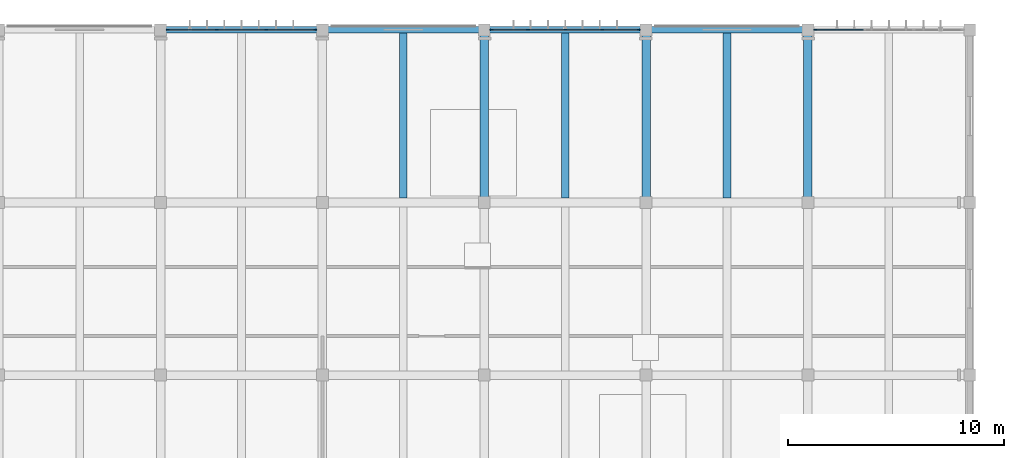
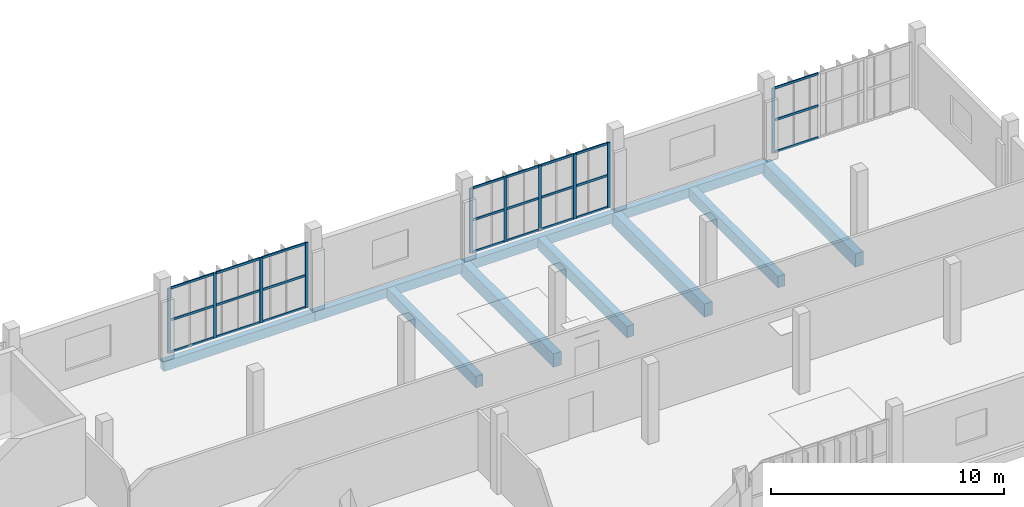
# One storey, part 19 of 61: 34 members, 10 beams, 3 elements without a shape of their own.
"""IFC4 building model written with IfcOpenShell, lengths in metres."""

from ifc_helpers import new_model, si_unit, direction, frame, origin, origin_2d, place, context, subcontext, project, spatial, rectangle, extrude, material, material_profile, profile_set, type_object, element, aggregate, save


model = new_model("IFC4")

# Units and contexts
model_context = context("Model", 3, precision=1e-05, world=origin(), true_north=direction((0.0, 1.0)))
body_context = subcontext(model_context, "Body", "Model", "MODEL_VIEW")
ifc_project = project(units=[si_unit("LENGTHUNIT", "METRE"), si_unit("AREAUNIT", "SQUARE_METRE"), si_unit("VOLUMEUNIT", "CUBIC_METRE"), si_unit("PLANEANGLEUNIT", "RADIAN"), si_unit("MASSUNIT", "GRAM", prefix="KILO")], contexts=[model_context])

# Site, building, storey
site_placement = place(None, origin())
site = spatial("IfcSite", under=ifc_project, at=site_placement, CompositionType="ELEMENT")
building_placement = place(site_placement, origin())
building = spatial("IfcBuilding", under=site, at=building_placement, Name="Vourika Railside Aquatics Centre", CompositionType="ELEMENT")
storey_placement = place(building_placement, frame((0.0, 0.0, 9.300048828125)))
storey = spatial("IfcBuildingStorey", under=building, at=storey_placement, Name="L02", CompositionType="ELEMENT", Elevation=9.300048828125)

# Beams
ifc_material_1 = material(Name="Concrete C35/45", Category="concrete")
ifc_material_profile_1 = material_profile(ifc_material_1, rectangle(XDim=0.39990234375, YDim=0.699951171875, at=origin_2d()), Name="RC 400x700")
ifc_profile_set_1 = profile_set([ifc_material_profile_1], Name="Concrete C35/45")
beam_type_1 = type_object("IfcBeamType", Name="BM-GIRD-400x700", PredefinedType="BEAM", material=ifc_profile_set_1)
for number, where, z_axis, x_axis, name in (
    (1, (111.0, 108.0, -0.630126953125), (0.0, 1.0, 0.0), (-1.0, 0.0, 0.0), "Floor Girder GY-L02-236"),
    (2, (118.5, 108.0, -0.630126953125), (0.0, 1.0, 0.0), (-1.0, 0.0, 0.0), "Floor Girder GY-L02-241"),
    (3, (126.0, 108.0, -0.630126953125), (0.0, 1.0, 0.0), (-1.0, 0.0, 0.0), "Floor Girder GY-L02-247"),
):
    element("IfcBeam", number, at=place(storey_placement, frame(where, z_axis=z_axis, x_axis=x_axis)), inside=storey, type_object=beam_type_1, Name=name, PredefinedType="BEAM", context=body_context, shape_type="SweptSolid", body=[
        extrude(rectangle(XDim=0.39990234375, YDim=0.699951171875, at=origin_2d()), origin(), (0.0, 0.0, 1.0), 8.0),
    ])
ifc_material_profile_2 = material_profile(ifc_material_1, rectangle(XDim=0.35009765625, YDim=0.60009765625, at=origin_2d()), Name="RC 350x600")
ifc_profile_set_2 = profile_set([ifc_material_profile_2], Name="Concrete C35/45")
beam_type_2 = type_object("IfcBeamType", Name="BM-SEC-350x600", PredefinedType="JOIST", material=ifc_profile_set_2)
for number, where, z_axis, x_axis, name in (
    (4, (107.25, 108.199951171875, -0.580078125), (0.0, 1.0, 0.0), (-1.0, 0.0, 0.0), "Secondary Joist JY-L02-369"),
    (5, (114.75, 108.199951171875, -0.580078125), (0.0, 1.0, 0.0), (-1.0, 0.0, 0.0), "Secondary Joist JY-L02-370"),
    (6, (122.25, 108.199951171875, -0.580078125), (0.0, 1.0, 0.0), (-1.0, 0.0, 0.0), "Secondary Joist JY-L02-371"),
):
    element("IfcBeam", number, at=place(storey_placement, frame(where, z_axis=z_axis, x_axis=x_axis)), inside=storey, type_object=beam_type_2, Name=name, PredefinedType="JOIST", context=body_context, shape_type="SweptSolid", body=[
        extrude(rectangle(XDim=0.35009765625, YDim=0.60009765625, at=origin_2d()), origin(), (0.0, 0.0, 1.0), 7.650146484375),
    ])
ifc_material_profile_3 = material_profile(ifc_material_1, rectangle(XDim=0.300048828125, YDim=0.5, at=origin_2d()), Name="RC 300x500")
ifc_profile_set_3 = profile_set([ifc_material_profile_3], Name="Concrete C35/45")
beam_type_3 = type_object("IfcBeamType", Name="BM-SPAN-300x500", PredefinedType="SPANDREL", material=ifc_profile_set_3)
for number, where, z_axis, x_axis, name in (
    (7, (96.0, 116.0, -0.530029296875), (1.0, 0.0, 0.0), (0.0, 1.0, 0.0), "Floor Beam GX-L02-143"),
    (8, (103.5, 116.0, -0.530029296875), (1.0, 0.0, 0.0), (0.0, 1.0, 0.0), "Floor Beam GX-L02-144"),
    (9, (111.0, 116.0, -0.530029296875), (1.0, 0.0, 0.0), (0.0, 1.0, 0.0), "Floor Beam GX-L02-145"),
    (10, (118.5, 116.0, -0.530029296875), (1.0, 0.0, 0.0), (0.0, 1.0, 0.0), "Floor Beam GX-L02-146"),
):
    element("IfcBeam", number, at=place(storey_placement, frame(where, z_axis=z_axis, x_axis=x_axis)), inside=storey, type_object=beam_type_3, Name=name, PredefinedType="SPANDREL", context=body_context, shape_type="SweptSolid", body=[
        extrude(rectangle(XDim=0.300048828125, YDim=0.5, at=origin_2d()), origin(), (0.0, 0.0, 1.0), 7.5),
    ])

# Curtain wall, members
ifc_material_2 = material(Name="Anodized thermally broken aluminium", Category="aluminium")
curtain_wall_type = type_object("IfcCurtainWallType", Name="CW-FIT2", PredefinedType="NOTDEFINED", material=ifc_material_2)
curtain_wall_1_placement = place(storey_placement, origin())
curtain_wall_1 = element("IfcCurtainWall", 11, at=curtain_wall_1_placement, inside=storey, type_object=curtain_wall_type, Name="North Boulevard Curtain Wall L02-11", PredefinedType="NOTDEFINED")
ifc_material_3 = material(Name="Anodized aluminium mullion", Category="aluminium")
ifc_material_profile_4 = material_profile(ifc_material_3, rectangle(XDim=0.06005859375, YDim=0.14990234375, at=origin_2d()), Name="ALU-M 60x150")
ifc_profile_set_4 = profile_set([ifc_material_profile_4], Name="Anodized aluminium mullion")
member_type_1 = type_object("IfcMemberType", Name="CWM-FIT2", PredefinedType="MULLION", material=ifc_profile_set_4)
member_1_placement = place(storey_placement, frame((103.1650390625, 116.0, 0.0), z_axis=(0.0, 0.0, 1.0), x_axis=(0.0, -1.0, 0.0)))
member_1 = element("IfcMember", 12, at=member_1_placement, type_object=member_type_1, Name="CW16 mullion 1", PredefinedType="MULLION", context=body_context, shape_type="SweptSolid", body=[
    extrude(rectangle(XDim=0.06005859375, YDim=0.14990234375, at=origin_2d()), origin(), (0.0, 0.0, 1.0), 3.409912109375),
])
member_2_placement = place(storey_placement, frame((100.8984375, 116.0, 0.0), z_axis=(0.0, 0.0, 1.0), x_axis=(0.0, -1.0, 0.0)))
member_2 = element("IfcMember", 13, at=member_2_placement, type_object=member_type_1, Name="CW16 mullion 2", PredefinedType="MULLION", context=body_context, shape_type="SweptSolid", body=[
    extrude(rectangle(XDim=0.06005859375, YDim=0.14990234375, at=origin_2d()), origin(), (0.0, 0.0, 1.0), 3.409912109375),
])
member_3_placement = place(storey_placement, frame((98.6015625, 116.0, 0.0), z_axis=(0.0, 0.0, 1.0), x_axis=(0.0, -1.0, 0.0)))
member_3 = element("IfcMember", 14, at=member_3_placement, type_object=member_type_1, Name="CW16 mullion 3", PredefinedType="MULLION", context=body_context, shape_type="SweptSolid", body=[
    extrude(rectangle(XDim=0.06005859375, YDim=0.14990234375, at=origin_2d()), origin(), (0.0, 0.0, 1.0), 3.409912109375),
])
member_4_placement = place(storey_placement, frame((96.3349609375, 116.0, 0.0), z_axis=(0.0, 0.0, 1.0), x_axis=(0.0, -1.0, 0.0)))
member_4 = element("IfcMember", 15, at=member_4_placement, type_object=member_type_1, Name="CW16 mullion 4", PredefinedType="MULLION", context=body_context, shape_type="SweptSolid", body=[
    extrude(rectangle(XDim=0.06005859375, YDim=0.14990234375, at=origin_2d()), origin(), (0.0, 0.0, 1.0), 3.409912109375),
])

curtain_wall_2_placement = place(storey_placement, origin())
curtain_wall_2 = element("IfcCurtainWall", 16, at=curtain_wall_2_placement, inside=storey, type_object=curtain_wall_type, Name="North Boulevard Curtain Wall L02-13", PredefinedType="NOTDEFINED")
member_5_placement = place(storey_placement, frame((118.1650390625, 116.0, 0.0), z_axis=(0.0, 0.0, 1.0), x_axis=(0.0, -1.0, 0.0)))
member_5 = element("IfcMember", 17, at=member_5_placement, type_object=member_type_1, Name="CW16 mullion 1", PredefinedType="MULLION", context=body_context, shape_type="SweptSolid", body=[
    extrude(rectangle(XDim=0.06005859375, YDim=0.14990234375, at=origin_2d()), origin(), (0.0, 0.0, 1.0), 3.409912109375),
])
member_6_placement = place(storey_placement, frame((116.472412109375, 116.0, 0.0), z_axis=(0.0, 0.0, 1.0), x_axis=(0.0, -1.0, 0.0)))
member_6 = element("IfcMember", 18, at=member_6_placement, type_object=member_type_1, Name="CW16 mullion 2", PredefinedType="MULLION", context=body_context, shape_type="SweptSolid", body=[
    extrude(rectangle(XDim=0.06005859375, YDim=0.14990234375, at=origin_2d()), origin(), (0.0, 0.0, 1.0), 3.409912109375),
])
member_7_placement = place(storey_placement, frame((114.75, 116.0, 0.0), z_axis=(0.0, 0.0, 1.0), x_axis=(0.0, -1.0, 0.0)))
member_7 = element("IfcMember", 19, at=member_7_placement, type_object=member_type_1, Name="CW16 mullion 3", PredefinedType="MULLION", context=body_context, shape_type="SweptSolid", body=[
    extrude(rectangle(XDim=0.06005859375, YDim=0.14990234375, at=origin_2d()), origin(), (0.0, 0.0, 1.0), 3.409912109375),
])
member_8_placement = place(storey_placement, frame((113.027587890625, 116.0, 0.0), z_axis=(0.0, 0.0, 1.0), x_axis=(0.0, -1.0, 0.0)))
member_8 = element("IfcMember", 20, at=member_8_placement, type_object=member_type_1, Name="CW16 mullion 4", PredefinedType="MULLION", context=body_context, shape_type="SweptSolid", body=[
    extrude(rectangle(XDim=0.06005859375, YDim=0.14990234375, at=origin_2d()), origin(), (0.0, 0.0, 1.0), 3.409912109375),
])
member_9_placement = place(storey_placement, frame((111.3349609375, 116.0, 0.0), z_axis=(0.0, 0.0, 1.0), x_axis=(0.0, -1.0, 0.0)))
member_9 = element("IfcMember", 21, at=member_9_placement, type_object=member_type_1, Name="CW16 mullion 5", PredefinedType="MULLION", context=body_context, shape_type="SweptSolid", body=[
    extrude(rectangle(XDim=0.06005859375, YDim=0.14990234375, at=origin_2d()), origin(), (0.0, 0.0, 1.0), 3.409912109375),
])

# Curtain wall, member
curtain_wall_3_placement = place(storey_placement, origin())
curtain_wall_3 = element("IfcCurtainWall", 22, at=curtain_wall_3_placement, inside=storey, type_object=curtain_wall_type, Name="North Boulevard Curtain Wall L02-15", PredefinedType="NOTDEFINED")
member_10_placement = place(storey_placement, frame((126.3349609375, 116.0, 0.0), z_axis=(0.0, 0.0, 1.0), x_axis=(0.0, -1.0, 0.0)))
member_10 = element("IfcMember", 23, at=member_10_placement, type_object=member_type_1, Name="CW16 mullion 4", PredefinedType="MULLION", context=body_context, shape_type="SweptSolid", body=[
    extrude(rectangle(XDim=0.06005859375, YDim=0.14990234375, at=origin_2d()), origin(), (0.0, 0.0, 1.0), 3.409912109375),
])

# Member
ifc_material_4 = material(Name="Anodized aluminium transom", Category="aluminium")
ifc_material_profile_5 = material_profile(ifc_material_4, rectangle(XDim=0.06005859375, YDim=0.117919921875, at=origin_2d()), Name="ALU-T 60x118")
ifc_profile_set_5 = profile_set([ifc_material_profile_5], Name="Anodized aluminium transom")
member_type_2 = type_object("IfcMemberType", Name="CWT-FIT2", PredefinedType="USERDEFINED", material=ifc_profile_set_5)
member_11_placement = place(storey_placement, frame((103.135009765625, 116.0, 0.030029296875), z_axis=(-1.0, 0.0, 0.0), x_axis=(0.0, -1.0, 0.0)))
member_11 = element("IfcMember", 24, at=member_11_placement, type_object=member_type_2, Name="CW16 transom 1.1", ObjectType="TRANSOM", PredefinedType="USERDEFINED", context=body_context, shape_type="SweptSolid", body=[
    extrude(rectangle(XDim=0.06005859375, YDim=0.117919921875, at=origin_2d()), origin(), (0.0, 0.0, 1.0), 2.206787109375),
])

member_12_placement = place(storey_placement, frame((103.135009765625, 116.0, 1.704833984375), z_axis=(-1.0, 0.0, 0.0), x_axis=(0.0, -1.0, 0.0)))
member_12 = element("IfcMember", 25, at=member_12_placement, type_object=member_type_2, Name="CW16 transom 1.2", ObjectType="TRANSOM", PredefinedType="USERDEFINED", context=body_context, shape_type="SweptSolid", body=[
    extrude(rectangle(XDim=0.06005859375, YDim=0.117919921875, at=origin_2d()), origin(), (0.0, 0.0, 1.0), 2.206787109375),
])

member_13_placement = place(storey_placement, frame((103.135009765625, 116.0, 3.3798828125), z_axis=(-1.0, 0.0, 0.0), x_axis=(0.0, -1.0, 0.0)))
member_13 = element("IfcMember", 26, at=member_13_placement, type_object=member_type_2, Name="CW16 transom 1.3", ObjectType="TRANSOM", PredefinedType="USERDEFINED", context=body_context, shape_type="SweptSolid", body=[
    extrude(rectangle(XDim=0.06005859375, YDim=0.117919921875, at=origin_2d()), origin(), (0.0, 0.0, 1.0), 2.206787109375),
])

member_14_placement = place(storey_placement, frame((100.868408203125, 116.0, 0.030029296875), z_axis=(-1.0, 0.0, 0.0), x_axis=(0.0, -1.0, 0.0)))
member_14 = element("IfcMember", 27, at=member_14_placement, type_object=member_type_2, Name="CW16 transom 2.1", ObjectType="TRANSOM", PredefinedType="USERDEFINED", context=body_context, shape_type="SweptSolid", body=[
    extrude(rectangle(XDim=0.06005859375, YDim=0.117919921875, at=origin_2d()), origin(), (0.0, 0.0, 1.0), 2.23681640625),
])

member_15_placement = place(storey_placement, frame((100.868408203125, 116.0, 1.704833984375), z_axis=(-1.0, 0.0, 0.0), x_axis=(0.0, -1.0, 0.0)))
member_15 = element("IfcMember", 28, at=member_15_placement, type_object=member_type_2, Name="CW16 transom 2.2", ObjectType="TRANSOM", PredefinedType="USERDEFINED", context=body_context, shape_type="SweptSolid", body=[
    extrude(rectangle(XDim=0.06005859375, YDim=0.117919921875, at=origin_2d()), origin(), (0.0, 0.0, 1.0), 2.23681640625),
])

member_16_placement = place(storey_placement, frame((100.868408203125, 116.0, 3.3798828125), z_axis=(-1.0, 0.0, 0.0), x_axis=(0.0, -1.0, 0.0)))
member_16 = element("IfcMember", 29, at=member_16_placement, type_object=member_type_2, Name="CW16 transom 2.3", ObjectType="TRANSOM", PredefinedType="USERDEFINED", context=body_context, shape_type="SweptSolid", body=[
    extrude(rectangle(XDim=0.06005859375, YDim=0.117919921875, at=origin_2d()), origin(), (0.0, 0.0, 1.0), 2.23681640625),
])

member_17_placement = place(storey_placement, frame((98.57177734375, 116.0, 0.030029296875), z_axis=(-1.0, 0.0, 0.0), x_axis=(0.0, -1.0, 0.0)))
member_17 = element("IfcMember", 30, at=member_17_placement, type_object=member_type_2, Name="CW16 transom 3.1", ObjectType="TRANSOM", PredefinedType="USERDEFINED", context=body_context, shape_type="SweptSolid", body=[
    extrude(rectangle(XDim=0.06005859375, YDim=0.117919921875, at=origin_2d()), origin(), (0.0, 0.0, 1.0), 2.206787109375),
])

member_18_placement = place(storey_placement, frame((98.57177734375, 116.0, 1.704833984375), z_axis=(-1.0, 0.0, 0.0), x_axis=(0.0, -1.0, 0.0)))
member_18 = element("IfcMember", 31, at=member_18_placement, type_object=member_type_2, Name="CW16 transom 3.2", ObjectType="TRANSOM", PredefinedType="USERDEFINED", context=body_context, shape_type="SweptSolid", body=[
    extrude(rectangle(XDim=0.06005859375, YDim=0.117919921875, at=origin_2d()), origin(), (0.0, 0.0, 1.0), 2.206787109375),
])

member_19_placement = place(storey_placement, frame((98.57177734375, 116.0, 3.3798828125), z_axis=(-1.0, 0.0, 0.0), x_axis=(0.0, -1.0, 0.0)))
member_19 = element("IfcMember", 32, at=member_19_placement, type_object=member_type_2, Name="CW16 transom 3.3", ObjectType="TRANSOM", PredefinedType="USERDEFINED", context=body_context, shape_type="SweptSolid", body=[
    extrude(rectangle(XDim=0.06005859375, YDim=0.117919921875, at=origin_2d()), origin(), (0.0, 0.0, 1.0), 2.206787109375),
])

aggregate(curtain_wall_1, [member_1, member_2, member_3, member_4, member_11, member_12, member_13, member_14, member_15, member_16, member_17, member_18, member_19])

member_20_placement = place(storey_placement, frame((118.135009765625, 116.0, 0.030029296875), z_axis=(-1.0, 0.0, 0.0), x_axis=(0.0, -1.0, 0.0)))
member_20 = element("IfcMember", 33, at=member_20_placement, type_object=member_type_2, Name="CW16 transom 1.1", ObjectType="TRANSOM", PredefinedType="USERDEFINED", context=body_context, shape_type="SweptSolid", body=[
    extrude(rectangle(XDim=0.06005859375, YDim=0.117919921875, at=origin_2d()), origin(), (0.0, 0.0, 1.0), 1.632568359375),
])

member_21_placement = place(storey_placement, frame((118.135009765625, 116.0, 1.704833984375), z_axis=(-1.0, 0.0, 0.0), x_axis=(0.0, -1.0, 0.0)))
member_21 = element("IfcMember", 34, at=member_21_placement, type_object=member_type_2, Name="CW16 transom 1.2", ObjectType="TRANSOM", PredefinedType="USERDEFINED", context=body_context, shape_type="SweptSolid", body=[
    extrude(rectangle(XDim=0.06005859375, YDim=0.117919921875, at=origin_2d()), origin(), (0.0, 0.0, 1.0), 1.632568359375),
])

member_22_placement = place(storey_placement, frame((118.135009765625, 116.0, 3.3798828125), z_axis=(-1.0, 0.0, 0.0), x_axis=(0.0, -1.0, 0.0)))
member_22 = element("IfcMember", 35, at=member_22_placement, type_object=member_type_2, Name="CW16 transom 1.3", ObjectType="TRANSOM", PredefinedType="USERDEFINED", context=body_context, shape_type="SweptSolid", body=[
    extrude(rectangle(XDim=0.06005859375, YDim=0.117919921875, at=origin_2d()), origin(), (0.0, 0.0, 1.0), 1.632568359375),
])

member_23_placement = place(storey_placement, frame((116.4423828125, 116.0, 0.030029296875), z_axis=(-1.0, 0.0, 0.0), x_axis=(0.0, -1.0, 0.0)))
member_23 = element("IfcMember", 36, at=member_23_placement, type_object=member_type_2, Name="CW16 transom 2.1", ObjectType="TRANSOM", PredefinedType="USERDEFINED", context=body_context, shape_type="SweptSolid", body=[
    extrude(rectangle(XDim=0.06005859375, YDim=0.117919921875, at=origin_2d()), origin(), (0.0, 0.0, 1.0), 1.662353515625),
])

member_24_placement = place(storey_placement, frame((116.4423828125, 116.0, 1.704833984375), z_axis=(-1.0, 0.0, 0.0), x_axis=(0.0, -1.0, 0.0)))
member_24 = element("IfcMember", 37, at=member_24_placement, type_object=member_type_2, Name="CW16 transom 2.2", ObjectType="TRANSOM", PredefinedType="USERDEFINED", context=body_context, shape_type="SweptSolid", body=[
    extrude(rectangle(XDim=0.06005859375, YDim=0.117919921875, at=origin_2d()), origin(), (0.0, 0.0, 1.0), 1.662353515625),
])

member_25_placement = place(storey_placement, frame((116.4423828125, 116.0, 3.3798828125), z_axis=(-1.0, 0.0, 0.0), x_axis=(0.0, -1.0, 0.0)))
member_25 = element("IfcMember", 38, at=member_25_placement, type_object=member_type_2, Name="CW16 transom 2.3", ObjectType="TRANSOM", PredefinedType="USERDEFINED", context=body_context, shape_type="SweptSolid", body=[
    extrude(rectangle(XDim=0.06005859375, YDim=0.117919921875, at=origin_2d()), origin(), (0.0, 0.0, 1.0), 1.662353515625),
])

member_26_placement = place(storey_placement, frame((114.719970703125, 116.0, 0.030029296875), z_axis=(-1.0, 0.0, 0.0), x_axis=(0.0, -1.0, 0.0)))
member_26 = element("IfcMember", 39, at=member_26_placement, type_object=member_type_2, Name="CW16 transom 3.1", ObjectType="TRANSOM", PredefinedType="USERDEFINED", context=body_context, shape_type="SweptSolid", body=[
    extrude(rectangle(XDim=0.06005859375, YDim=0.117919921875, at=origin_2d()), origin(), (0.0, 0.0, 1.0), 1.662353515625),
])

member_27_placement = place(storey_placement, frame((114.719970703125, 116.0, 1.704833984375), z_axis=(-1.0, 0.0, 0.0), x_axis=(0.0, -1.0, 0.0)))
member_27 = element("IfcMember", 40, at=member_27_placement, type_object=member_type_2, Name="CW16 transom 3.2", ObjectType="TRANSOM", PredefinedType="USERDEFINED", context=body_context, shape_type="SweptSolid", body=[
    extrude(rectangle(XDim=0.06005859375, YDim=0.117919921875, at=origin_2d()), origin(), (0.0, 0.0, 1.0), 1.662353515625),
])

member_28_placement = place(storey_placement, frame((114.719970703125, 116.0, 3.3798828125), z_axis=(-1.0, 0.0, 0.0), x_axis=(0.0, -1.0, 0.0)))
member_28 = element("IfcMember", 41, at=member_28_placement, type_object=member_type_2, Name="CW16 transom 3.3", ObjectType="TRANSOM", PredefinedType="USERDEFINED", context=body_context, shape_type="SweptSolid", body=[
    extrude(rectangle(XDim=0.06005859375, YDim=0.117919921875, at=origin_2d()), origin(), (0.0, 0.0, 1.0), 1.662353515625),
])

member_29_placement = place(storey_placement, frame((112.99755859375, 116.0, 0.030029296875), z_axis=(-1.0, 0.0, 0.0), x_axis=(0.0, -1.0, 0.0)))
member_29 = element("IfcMember", 42, at=member_29_placement, type_object=member_type_2, Name="CW16 transom 4.1", ObjectType="TRANSOM", PredefinedType="USERDEFINED", context=body_context, shape_type="SweptSolid", body=[
    extrude(rectangle(XDim=0.06005859375, YDim=0.117919921875, at=origin_2d()), origin(), (0.0, 0.0, 1.0), 1.632568359375),
])

member_30_placement = place(storey_placement, frame((112.99755859375, 116.0, 1.704833984375), z_axis=(-1.0, 0.0, 0.0), x_axis=(0.0, -1.0, 0.0)))
member_30 = element("IfcMember", 43, at=member_30_placement, type_object=member_type_2, Name="CW16 transom 4.2", ObjectType="TRANSOM", PredefinedType="USERDEFINED", context=body_context, shape_type="SweptSolid", body=[
    extrude(rectangle(XDim=0.06005859375, YDim=0.117919921875, at=origin_2d()), origin(), (0.0, 0.0, 1.0), 1.632568359375),
])

member_31_placement = place(storey_placement, frame((112.99755859375, 116.0, 3.3798828125), z_axis=(-1.0, 0.0, 0.0), x_axis=(0.0, -1.0, 0.0)))
member_31 = element("IfcMember", 44, at=member_31_placement, type_object=member_type_2, Name="CW16 transom 4.3", ObjectType="TRANSOM", PredefinedType="USERDEFINED", context=body_context, shape_type="SweptSolid", body=[
    extrude(rectangle(XDim=0.06005859375, YDim=0.117919921875, at=origin_2d()), origin(), (0.0, 0.0, 1.0), 1.632568359375),
])

aggregate(curtain_wall_2, [member_5, member_6, member_7, member_8, member_9, member_20, member_21, member_22, member_23, member_24, member_25, member_26, member_27, member_28, member_29, member_30, member_31])

member_32_placement = place(storey_placement, frame((128.57177734375, 116.0, 0.030029296875), z_axis=(-1.0, 0.0, 0.0), x_axis=(0.0, -1.0, 0.0)))
member_32 = element("IfcMember", 45, at=member_32_placement, type_object=member_type_2, Name="CW16 transom 3.1", ObjectType="TRANSOM", PredefinedType="USERDEFINED", context=body_context, shape_type="SweptSolid", body=[
    extrude(rectangle(XDim=0.06005859375, YDim=0.117919921875, at=origin_2d()), origin(), (0.0, 0.0, 1.0), 2.206787109375),
])

member_33_placement = place(storey_placement, frame((128.57177734375, 116.0, 1.704833984375), z_axis=(-1.0, 0.0, 0.0), x_axis=(0.0, -1.0, 0.0)))
member_33 = element("IfcMember", 46, at=member_33_placement, type_object=member_type_2, Name="CW16 transom 3.2", ObjectType="TRANSOM", PredefinedType="USERDEFINED", context=body_context, shape_type="SweptSolid", body=[
    extrude(rectangle(XDim=0.06005859375, YDim=0.117919921875, at=origin_2d()), origin(), (0.0, 0.0, 1.0), 2.206787109375),
])

member_34_placement = place(storey_placement, frame((128.57177734375, 116.0, 3.3798828125), z_axis=(-1.0, 0.0, 0.0), x_axis=(0.0, -1.0, 0.0)))
member_34 = element("IfcMember", 47, at=member_34_placement, type_object=member_type_2, Name="CW16 transom 3.3", ObjectType="TRANSOM", PredefinedType="USERDEFINED", context=body_context, shape_type="SweptSolid", body=[
    extrude(rectangle(XDim=0.06005859375, YDim=0.117919921875, at=origin_2d()), origin(), (0.0, 0.0, 1.0), 2.206787109375),
])

aggregate(curtain_wall_3, [member_10, member_32, member_33, member_34])

save(model, "model.ifc")
